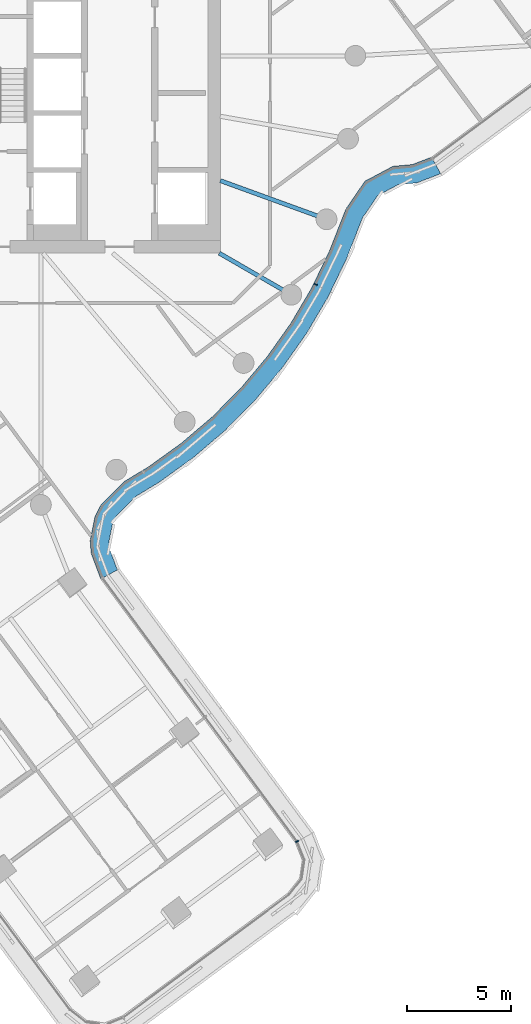
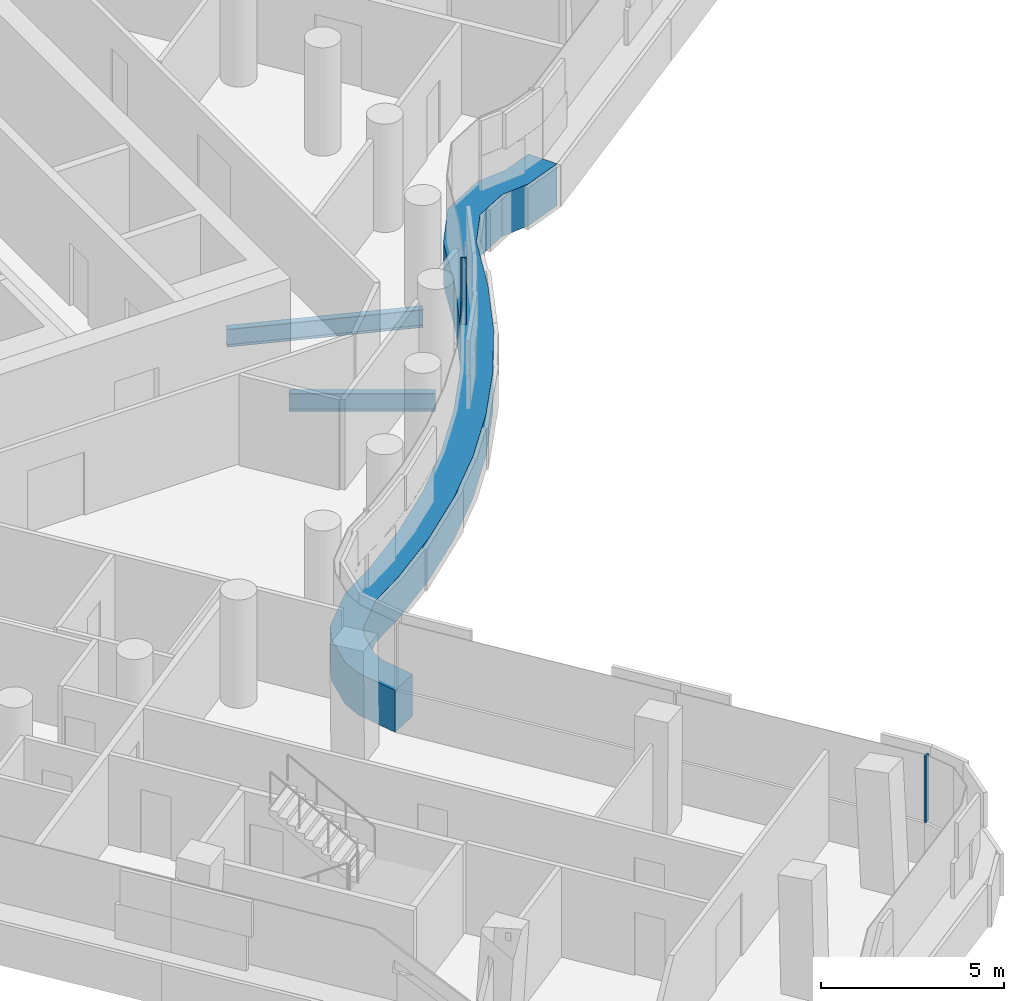
# One storey, part 11 of 32: 3 members, 2 beams, 2 elements without a shape of their own.
"""IFC4 building model written with IfcOpenShell, lengths in metres."""

from ifc_helpers import new_model, si_unit, direction, frame, origin, origin_2d, place, context, subcontext, project, spatial, polyline, rectangle, i_section, outline, extrude, material, layer, layer_set, material_profile, profile_set, type_object, element, aggregate, save


model = new_model("IFC4")

# Units and contexts
model_context = context("Model", 3, precision=1e-05, world=origin(), true_north=direction((0.0, 1.0)))
body_context = subcontext(model_context, "Body", "Model", "MODEL_VIEW")
ifc_project = project(units=[si_unit("LENGTHUNIT", "METRE"), si_unit("AREAUNIT", "SQUARE_METRE"), si_unit("VOLUMEUNIT", "CUBIC_METRE"), si_unit("PLANEANGLEUNIT", "RADIAN"), si_unit("MASSUNIT", "GRAM", prefix="KILO")], contexts=[model_context])

# Site, building, storey
site_placement = place(None, origin())
site = spatial("IfcSite", under=ifc_project, at=site_placement, CompositionType="ELEMENT")
building_placement = place(site_placement, origin())
building = spatial("IfcBuilding", under=site, at=building_placement, Name="Tamarind Cross Interchange Tower", CompositionType="ELEMENT")
storey_placement = place(building_placement, frame((0.0, 0.0, 166.75)))
storey = spatial("IfcBuildingStorey", under=building, at=storey_placement, Name="L41", CompositionType="ELEMENT", Elevation=166.75)

# Beams
ifc_material_1 = material(Name="Steel Q355B", Category="steel")
ifc_material_profile_1 = material_profile(ifc_material_1, i_section(OverallWidth=0.198974609375, OverallDepth=0.595947265625, WebThickness=0.010009765625, FlangeThickness=0.014892578125, FilletRadius=0.012939453125, at=origin_2d()), Name="HN 596x199x10x15")
ifc_profile_set_1 = profile_set([ifc_material_profile_1], Name="Steel Q355B")
beam_type = type_object("IfcBeamType", Name="Composite beam HN 596x199x10x15 Q355B", PredefinedType="BEAM", material=ifc_profile_set_1)
beam_1_placement = place(storey_placement, frame((19.918701171875, -11.5, -0.43798828125), z_axis=(-0.866026010844, 0.49999894854, 0.0), x_axis=(-0.49999894854, -0.866026010844, 0.0)))
element("IfcBeam", 1, at=beam_1_placement, inside=storey, type_object=beam_type, Name="Beam HH33", PredefinedType="BEAM", context=body_context, shape_type="SweptSolid", body=[
    extrude(i_section(OverallWidth=0.198974609375, OverallDepth=0.595947265625, WebThickness=0.010009765625, FlangeThickness=0.014892578125, FilletRadius=0.012939453125, at=origin_2d()), origin(), (0.0, 0.0, 1.0), 4.0),
])
beam_2_placement = place(storey_placement, frame((21.613037109375, -7.866455078125, -0.43798828125), z_axis=(-0.939701685589, 0.341995236956, 0.0), x_axis=(-0.341995236956, -0.939701685589, 0.0)))
element("IfcBeam", 2, at=beam_2_placement, inside=storey, type_object=beam_type, Name="Beam HH34", PredefinedType="BEAM", context=body_context, shape_type="SweptSolid", body=[
    extrude(i_section(OverallWidth=0.198974609375, OverallDepth=0.595947265625, WebThickness=0.010009765625, FlangeThickness=0.014892578125, FilletRadius=0.012939453125, at=origin_2d()), origin(), (0.0, 0.0, 1.0), 5.441162109375),
])

# Curtain wall, member
ifc_material_2 = material(Name="Aluminium 6063-T6", Category="aluminium")
ifc_layer = layer(ifc_material_2, 0.159912109375)
ifc_layer_set = layer_set([ifc_layer], Name="Aluminium 6063-T6")
curtain_wall_type = type_object("IfcCurtainWallType", Name="Office curtain wall, 9.0 m bays", PredefinedType="NOTDEFINED", material=ifc_layer_set)
curtain_wall_1_placement = place(storey_placement, origin())
curtain_wall_1 = element("IfcCurtainWall", 3, at=curtain_wall_1_placement, inside=storey, type_object=curtain_wall_type, Name="CWS-L41-14", PredefinedType="NOTDEFINED")
ifc_material_3 = material(Name="Aluminium and insulated spandrel panel", Category="aluminium")
member_type_1 = type_object("IfcMemberType", Name="Floor-edge blade transom", PredefinedType="USERDEFINED", material=ifc_material_3)
member_1_placement = place(storey_placement, origin())
member_1 = element("IfcMember", 4, at=member_1_placement, type_object=member_type_1, Name="CWT-L41-14", ObjectType="TRANSOM", PredefinedType="USERDEFINED", context=body_context, shape_type="SweptSolid", body=[
    extrude(outline(polyline([(10.748291015625, -25.17919921875), (10.285888671875, -23.94921875), (10.235595703125, -23.328125), (10.4658203125, -22.177490234375), (10.75341796875, -21.619873046875), (11.8701171875, -20.49169921875), (13.04541015625, -19.781494140625), (14.634521484375, -18.636474609375), (16.12353515625, -17.3642578125), (17.50244140625, -15.973388671875), (18.76171875, -14.4736328125), (19.892822265625, -12.874755859375), (20.88818359375, -11.188232421875), (21.740966796875, -9.42431640625), (22.545654296875, -7.370849609375), (23.460693359375, -6.033447265625), (24.809326171875, -5.31689453125), (25.73974609375, -5.232177734375), (26.67236328125, -4.876220703125), (27.109130859375, -5.6728515625), (25.94482421875, -6.1171875), (25.071533203125, -6.19677734375), (24.078369140625, -6.724365234375), (23.34619140625, -7.79443359375), (22.56640625, -9.784912109375), (21.68212890625, -11.613525390625), (20.64892578125, -13.3642578125), (19.474853515625, -15.023681640625), (18.167724609375, -16.580810546875), (16.736572265625, -18.0244140625), (15.19091796875, -19.344970703125), (13.5419921875, -20.532958984375), (12.431396484375, -21.204345703125), (11.489990234375, -22.155029296875), (11.323486328125, -22.477783203125), (11.142822265625, -23.380859375), (11.1728515625, -23.750732421875), (11.546875, -24.745361328125), (10.748291015625, -25.17919921875)])), origin(), (0.0, 0.0, 1.0), 1.39990234375),
])

curtain_wall_2_placement = place(storey_placement, origin())
curtain_wall_2 = element("IfcCurtainWall", 5, at=curtain_wall_2_placement, inside=storey, type_object=curtain_wall_type, Name="CWS-L41-13", PredefinedType="NOTDEFINED")
ifc_material_profile_2 = material_profile(ifc_material_2, rectangle(XDim=0.06005859375, YDim=0.159912109375, at=origin_2d()), Name="Mullion CW1")
ifc_profile_set_2 = profile_set([ifc_material_profile_2], Name="Aluminium 6063-T6")
member_type_2 = type_object("IfcMemberType", Name="Mullion CW1", PredefinedType="MULLION", material=ifc_profile_set_2)
member_2_placement = place(storey_placement, frame((20.19775390625, -37.814208984375, 1.39990234375), z_axis=(0.0, 0.0, 1.0), x_axis=(-0.484782974532, 0.874634476569, 0.0)))
member_2 = element("IfcMember", 6, at=member_2_placement, type_object=member_type_2, Name="CWM-L41-13-00", PredefinedType="MULLION", context=body_context, shape_type="SweptSolid", body=[
    extrude(rectangle(XDim=0.06005859375, YDim=0.159912109375, at=origin_2d()), origin(), (0.0, 0.0, 1.0), 2.210205078125),
])
aggregate(curtain_wall_2, [member_2])

# Member
member_3_placement = place(storey_placement, frame((21.091064453125, -10.998046875, 1.39990234375), z_axis=(0.0, 0.0, 1.0), x_axis=(0.435326231914, 0.900272776334, 0.0)))
member_3 = element("IfcMember", 7, at=member_3_placement, type_object=member_type_2, Name="CWM-L41-14-02", PredefinedType="MULLION", context=body_context, shape_type="SweptSolid", body=[
    extrude(rectangle(XDim=0.06005859375, YDim=0.159912109375, at=origin_2d()), origin(), (0.0, 0.0, 1.0), 2.210205078125),
])

aggregate(curtain_wall_1, [member_3, member_1])

save(model, "model.ifc")
